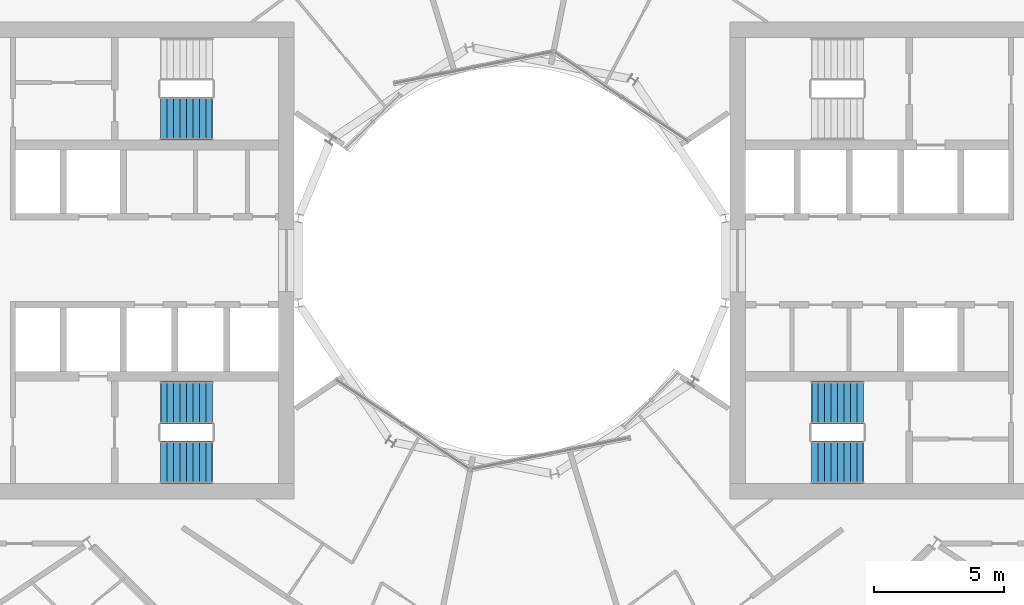
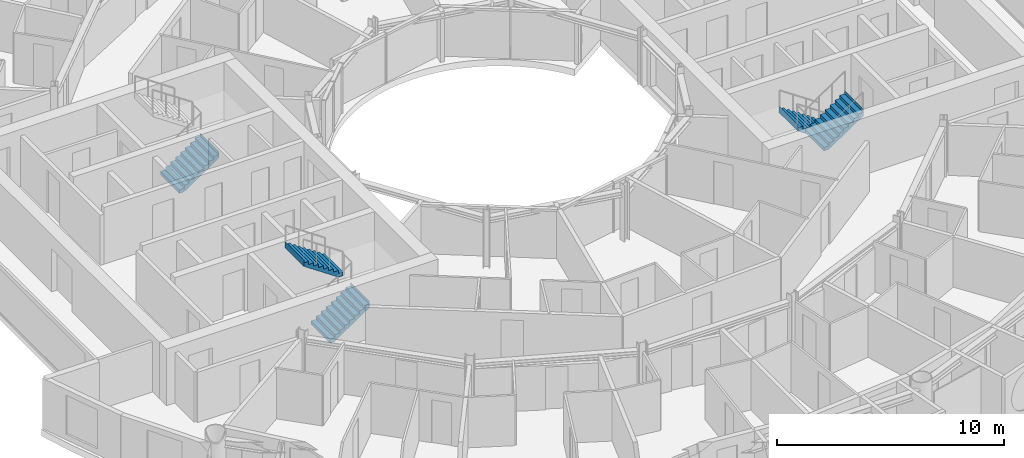
# One storey, part 24 of 26: 5 stair flights, 3 elements without a shape of their own.
"""IFC4 building model written with IfcOpenShell, lengths in metres."""

from ifc_helpers import new_model, si_unit, direction, frame, origin, place, context, subcontext, project, spatial, triangles, material, type_object, element, aggregate, save


model = new_model("IFC4")

# Units and contexts
model_context = context("Model", 3, precision=1e-05, world=origin(), true_north=direction((0.0, 1.0)))
body_context = subcontext(model_context, "Body", "Model", "MODEL_VIEW")
ifc_project = project(units=[si_unit("LENGTHUNIT", "METRE"), si_unit("AREAUNIT", "SQUARE_METRE"), si_unit("VOLUMEUNIT", "CUBIC_METRE"), si_unit("PLANEANGLEUNIT", "RADIAN"), si_unit("MASSUNIT", "GRAM", prefix="KILO")], contexts=[model_context])

# Site, building, storey
site_placement = place(None, origin())
site = spatial("IfcSite", under=ifc_project, at=site_placement, CompositionType="ELEMENT")
building_placement = place(site_placement, origin())
building = spatial("IfcBuilding", under=site, at=building_placement, Name="Maasbend Ring Residences", CompositionType="ELEMENT")
storey_placement = place(building_placement, frame((0.0, 0.0, 123.85009765625)))
storey = spatial("IfcBuildingStorey", under=building, at=storey_placement, Name="L35", CompositionType="ELEMENT", Elevation=123.85009765625)

# Stair, stair flights
ifc_material_1 = material(Name="Concrete C40/50", Category="concrete")
stair_type = type_object("IfcStairType", Name="CORE STAIR 18 RISERS", PredefinedType="HALF_TURN_STAIR", material=ifc_material_1)
stair_1_placement = place(storey_placement, origin())
stair_1 = element("IfcStair", 1, at=stair_1_placement, inside=storey, type_object=stair_type, Name="L35 Exit stair ST-E2", PredefinedType="HALF_TURN_STAIR")
ifc_material_2 = material(Name="Concrete C40/50", Category="concrete")
stair_flight_type = type_object("IfcStairFlightType", Name="CORE STAIR FLIGHT 1650", PredefinedType="STRAIGHT", material=ifc_material_2)
stair_flight_1_placement = place(storey_placement, frame((13.550048828125, -5.47509765625, 0.0), z_axis=(0.0, 0.0, 1.0), x_axis=(-1.0, 0.0, 0.0)))
stair_flight_1 = element("IfcStairFlight", 2, at=stair_flight_1_placement, type_object=stair_flight_type, Name="ST-E2 flight 1", NumberOfRisers=9, NumberOfTreads=8, PredefinedType="STRAIGHT", RiserHeight=0.169444444, TreadLength=0.25, context=body_context, shape_type="Tessellation", body=[
    triangles([(0.24072265625, 0.824951171875, -0.02001953125), (2.0029296875, 0.824951171875, 1.174560546875), (2.0029296875, 0.824951171875, 1.52490234375), (1.989990234375, 0.824951171875, 1.35546875), (1.75, 0.824951171875, 1.35546875), (1.75, 0.824951171875, 1.18603515625), (1.5, 0.824951171875, 1.18603515625), (1.5, 0.824951171875, 1.0166015625), (1.25, 0.824951171875, 1.0166015625), (1.25, 0.824951171875, 0.84716796875), (1.0, 0.824951171875, 0.84716796875), (1.0, 0.824951171875, 0.677734375), (0.75, 0.824951171875, 0.677734375), (0.75, 0.824951171875, 0.50830078125), (0.5, 0.824951171875, 0.50830078125), (0.5, 0.824951171875, 0.3388671875), (0.25, 0.824951171875, 0.3388671875), (0.25, 0.824951171875, 0.16943359375), (0.0, 0.824951171875, 0.16943359375), (0.0, 0.824951171875, 0.0), (-0.0029296875, 0.824951171875, 0.0), (-0.0029296875, 0.824951171875, -0.02001953125), (0.24072265625, 0.27490234375, -0.02001953125), (2.0029296875, 0.27490234375, 1.174560546875), (2.0029296875, 0.27490234375, 1.52490234375), (1.989990234375, 0.27490234375, 1.35546875), (1.75, 0.27490234375, 1.35546875), (1.75, 0.27490234375, 1.18603515625), (1.5, 0.27490234375, 1.18603515625), (1.5, 0.27490234375, 1.0166015625), (1.25, 0.27490234375, 1.0166015625), (1.25, 0.27490234375, 0.84716796875), (1.0, 0.27490234375, 0.84716796875), (1.0, 0.27490234375, 0.677734375), (0.75, 0.27490234375, 0.677734375), (0.75, 0.27490234375, 0.50830078125), (0.5, 0.27490234375, 0.50830078125), (0.5, 0.27490234375, 0.3388671875), (0.25, 0.27490234375, 0.3388671875), (0.25, 0.27490234375, 0.16943359375), (0.0, 0.27490234375, 0.16943359375), (0.0, 0.27490234375, 0.0), (-0.0029296875, 0.27490234375, 0.0), (-0.0029296875, 0.27490234375, -0.02001953125), (0.24072265625, -0.27490234375, -0.02001953125), (2.0029296875, -0.27490234375, 1.174560546875), (2.0029296875, -0.27490234375, 1.52490234375), (1.989990234375, -0.27490234375, 1.35546875), (1.75, -0.27490234375, 1.35546875), (1.75, -0.27490234375, 1.18603515625), (1.5, -0.27490234375, 1.18603515625), (1.5, -0.27490234375, 1.0166015625), (1.25, -0.27490234375, 1.0166015625), (1.25, -0.27490234375, 0.84716796875), (1.0, -0.27490234375, 0.84716796875), (1.0, -0.27490234375, 0.677734375), (0.75, -0.27490234375, 0.677734375), (0.75, -0.27490234375, 0.50830078125), (0.5, -0.27490234375, 0.50830078125), (0.5, -0.27490234375, 0.3388671875), (0.25, -0.27490234375, 0.3388671875), (0.25, -0.27490234375, 0.16943359375), (0.0, -0.27490234375, 0.16943359375), (0.0, -0.27490234375, 0.0), (-0.0029296875, -0.27490234375, 0.0), (-0.0029296875, -0.27490234375, -0.02001953125), (0.24072265625, -0.824951171875, -0.02001953125), (2.0029296875, -0.824951171875, 1.174560546875), (2.0029296875, -0.824951171875, 1.52490234375), (1.989990234375, -0.824951171875, 1.35546875), (1.75, -0.824951171875, 1.35546875), (1.75, -0.824951171875, 1.18603515625), (1.5, -0.824951171875, 1.18603515625), (1.5, -0.824951171875, 1.0166015625), (1.25, -0.824951171875, 1.0166015625), (1.25, -0.824951171875, 0.84716796875), (1.0, -0.824951171875, 0.84716796875), (1.0, -0.824951171875, 0.677734375), (0.75, -0.824951171875, 0.677734375), (0.75, -0.824951171875, 0.50830078125), (0.5, -0.824951171875, 0.50830078125), (0.5, -0.824951171875, 0.3388671875), (0.25, -0.824951171875, 0.3388671875), (0.25, -0.824951171875, 0.16943359375), (0.0, -0.824951171875, 0.16943359375), (0.0, -0.824951171875, 0.0), (-0.0029296875, -0.824951171875, 0.0), (-0.0029296875, -0.824951171875, -0.02001953125)], [[1, 2, 24], [1, 24, 23], [23, 24, 46], [23, 46, 45], [45, 46, 68], [45, 68, 67], [2, 3, 25], [2, 25, 24], [24, 25, 47], [24, 47, 46], [46, 47, 69], [46, 69, 68], [3, 4, 26], [3, 26, 25], [25, 26, 48], [25, 48, 47], [47, 48, 70], [47, 70, 69], [4, 5, 27], [4, 27, 26], [26, 27, 49], [26, 49, 48], [48, 49, 71], [48, 71, 70], [5, 6, 28], [5, 28, 27], [27, 28, 50], [27, 50, 49], [49, 50, 72], [49, 72, 71], [6, 7, 29], [6, 29, 28], [28, 29, 51], [28, 51, 50], [50, 51, 73], [50, 73, 72], [7, 8, 30], [7, 30, 29], [29, 30, 52], [29, 52, 51], [51, 52, 74], [51, 74, 73], [8, 9, 31], [8, 31, 30], [30, 31, 53], [30, 53, 52], [52, 53, 75], [52, 75, 74], [9, 10, 32], [9, 32, 31], [31, 32, 54], [31, 54, 53], [53, 54, 76], [53, 76, 75], [10, 11, 33], [10, 33, 32], [32, 33, 55], [32, 55, 54], [54, 55, 77], [54, 77, 76], [11, 12, 34], [11, 34, 33], [33, 34, 56], [33, 56, 55], [55, 56, 78], [55, 78, 77], [12, 13, 35], [12, 35, 34], [34, 35, 57], [34, 57, 56], [56, 57, 79], [56, 79, 78], [13, 14, 36], [13, 36, 35], [35, 36, 58], [35, 58, 57], [57, 58, 80], [57, 80, 79], [14, 15, 37], [14, 37, 36], [36, 37, 59], [36, 59, 58], [58, 59, 81], [58, 81, 80], [15, 16, 38], [15, 38, 37], [37, 38, 60], [37, 60, 59], [59, 60, 82], [59, 82, 81], [16, 17, 39], [16, 39, 38], [38, 39, 61], [38, 61, 60], [60, 61, 83], [60, 83, 82], [17, 18, 40], [17, 40, 39], [39, 40, 62], [39, 62, 61], [61, 62, 84], [61, 84, 83], [18, 19, 41], [18, 41, 40], [40, 41, 63], [40, 63, 62], [62, 63, 85], [62, 85, 84], [19, 20, 42], [19, 42, 41], [41, 42, 64], [41, 64, 63], [63, 64, 86], [63, 86, 85], [20, 21, 43], [20, 43, 42], [42, 43, 65], [42, 65, 64], [64, 65, 87], [64, 87, 86], [21, 22, 44], [21, 44, 43], [43, 44, 66], [43, 66, 65], [65, 66, 88], [65, 88, 87], [22, 1, 23], [22, 23, 44], [44, 23, 45], [44, 45, 66], [66, 45, 67], [66, 67, 88], [22, 2, 1], [2, 4, 3], [2, 5, 4], [2, 6, 5], [22, 6, 2], [6, 8, 7], [22, 8, 6], [8, 10, 9], [22, 10, 8], [10, 12, 11], [22, 12, 10], [12, 14, 13], [22, 14, 12], [14, 16, 15], [22, 16, 14], [16, 18, 17], [22, 18, 16], [18, 20, 19], [22, 20, 18], [20, 22, 21], [88, 67, 68], [68, 69, 70], [68, 70, 71], [68, 71, 72], [88, 68, 72], [72, 73, 74], [88, 72, 74], [74, 75, 76], [88, 74, 76], [76, 77, 78], [88, 76, 78], [78, 79, 80], [88, 78, 80], [80, 81, 82], [88, 80, 82], [82, 83, 84], [88, 82, 84], [84, 85, 86], [88, 84, 86], [86, 87, 88]], closed=True),
])
stair_flight_2_placement = place(storey_placement, frame((11.550048828125, -7.77490234375, 1.52490234375), z_axis=(0.0, 0.0, 1.0), x_axis=(1.0, 0.0, 0.0)))
stair_flight_2 = element("IfcStairFlight", 3, at=stair_flight_2_placement, type_object=stair_flight_type, Name="ST-E2 flight 2", NumberOfRisers=9, NumberOfTreads=8, PredefinedType="STRAIGHT", RiserHeight=0.169444444, TreadLength=0.25, context=body_context, shape_type="Tessellation", body=[
    triangles([(0.24072265625, 0.824951171875, -0.02001953125), (2.0029296875, 0.824951171875, 1.174560546875), (2.0029296875, 0.824951171875, 1.52490234375), (1.989990234375, 0.824951171875, 1.35546875), (1.75, 0.824951171875, 1.35546875), (1.75, 0.824951171875, 1.18603515625), (1.5, 0.824951171875, 1.18603515625), (1.5, 0.824951171875, 1.0166015625), (1.25, 0.824951171875, 1.0166015625), (1.25, 0.824951171875, 0.84716796875), (1.0, 0.824951171875, 0.84716796875), (1.0, 0.824951171875, 0.677734375), (0.75, 0.824951171875, 0.677734375), (0.75, 0.824951171875, 0.50830078125), (0.5, 0.824951171875, 0.50830078125), (0.5, 0.824951171875, 0.3388671875), (0.25, 0.824951171875, 0.3388671875), (0.25, 0.824951171875, 0.16943359375), (0.0, 0.824951171875, 0.16943359375), (0.0, 0.824951171875, 0.0), (-0.0029296875, 0.824951171875, 0.0), (-0.0029296875, 0.824951171875, -0.02001953125), (0.24072265625, 0.27490234375, -0.02001953125), (2.0029296875, 0.27490234375, 1.174560546875), (2.0029296875, 0.27490234375, 1.52490234375), (1.989990234375, 0.27490234375, 1.35546875), (1.75, 0.27490234375, 1.35546875), (1.75, 0.27490234375, 1.18603515625), (1.5, 0.27490234375, 1.18603515625), (1.5, 0.27490234375, 1.0166015625), (1.25, 0.27490234375, 1.0166015625), (1.25, 0.27490234375, 0.84716796875), (1.0, 0.27490234375, 0.84716796875), (1.0, 0.27490234375, 0.677734375), (0.75, 0.27490234375, 0.677734375), (0.75, 0.27490234375, 0.50830078125), (0.5, 0.27490234375, 0.50830078125), (0.5, 0.27490234375, 0.3388671875), (0.25, 0.27490234375, 0.3388671875), (0.25, 0.27490234375, 0.16943359375), (0.0, 0.27490234375, 0.16943359375), (0.0, 0.27490234375, 0.0), (-0.0029296875, 0.27490234375, 0.0), (-0.0029296875, 0.27490234375, -0.02001953125), (0.24072265625, -0.27490234375, -0.02001953125), (2.0029296875, -0.27490234375, 1.174560546875), (2.0029296875, -0.27490234375, 1.52490234375), (1.989990234375, -0.27490234375, 1.35546875), (1.75, -0.27490234375, 1.35546875), (1.75, -0.27490234375, 1.18603515625), (1.5, -0.27490234375, 1.18603515625), (1.5, -0.27490234375, 1.0166015625), (1.25, -0.27490234375, 1.0166015625), (1.25, -0.27490234375, 0.84716796875), (1.0, -0.27490234375, 0.84716796875), (1.0, -0.27490234375, 0.677734375), (0.75, -0.27490234375, 0.677734375), (0.75, -0.27490234375, 0.50830078125), (0.5, -0.27490234375, 0.50830078125), (0.5, -0.27490234375, 0.3388671875), (0.25, -0.27490234375, 0.3388671875), (0.25, -0.27490234375, 0.16943359375), (0.0, -0.27490234375, 0.16943359375), (0.0, -0.27490234375, 0.0), (-0.0029296875, -0.27490234375, 0.0), (-0.0029296875, -0.27490234375, -0.02001953125), (0.24072265625, -0.824951171875, -0.02001953125), (2.0029296875, -0.824951171875, 1.174560546875), (2.0029296875, -0.824951171875, 1.52490234375), (1.989990234375, -0.824951171875, 1.35546875), (1.75, -0.824951171875, 1.35546875), (1.75, -0.824951171875, 1.18603515625), (1.5, -0.824951171875, 1.18603515625), (1.5, -0.824951171875, 1.0166015625), (1.25, -0.824951171875, 1.0166015625), (1.25, -0.824951171875, 0.84716796875), (1.0, -0.824951171875, 0.84716796875), (1.0, -0.824951171875, 0.677734375), (0.75, -0.824951171875, 0.677734375), (0.75, -0.824951171875, 0.50830078125), (0.5, -0.824951171875, 0.50830078125), (0.5, -0.824951171875, 0.3388671875), (0.25, -0.824951171875, 0.3388671875), (0.25, -0.824951171875, 0.16943359375), (0.0, -0.824951171875, 0.16943359375), (0.0, -0.824951171875, 0.0), (-0.0029296875, -0.824951171875, 0.0), (-0.0029296875, -0.824951171875, -0.02001953125)], [[1, 2, 24], [1, 24, 23], [23, 24, 46], [23, 46, 45], [45, 46, 68], [45, 68, 67], [2, 3, 25], [2, 25, 24], [24, 25, 47], [24, 47, 46], [46, 47, 69], [46, 69, 68], [3, 4, 26], [3, 26, 25], [25, 26, 48], [25, 48, 47], [47, 48, 70], [47, 70, 69], [4, 5, 27], [4, 27, 26], [26, 27, 49], [26, 49, 48], [48, 49, 71], [48, 71, 70], [5, 6, 28], [5, 28, 27], [27, 28, 50], [27, 50, 49], [49, 50, 72], [49, 72, 71], [6, 7, 29], [6, 29, 28], [28, 29, 51], [28, 51, 50], [50, 51, 73], [50, 73, 72], [7, 8, 30], [7, 30, 29], [29, 30, 52], [29, 52, 51], [51, 52, 74], [51, 74, 73], [8, 9, 31], [8, 31, 30], [30, 31, 53], [30, 53, 52], [52, 53, 75], [52, 75, 74], [9, 10, 32], [9, 32, 31], [31, 32, 54], [31, 54, 53], [53, 54, 76], [53, 76, 75], [10, 11, 33], [10, 33, 32], [32, 33, 55], [32, 55, 54], [54, 55, 77], [54, 77, 76], [11, 12, 34], [11, 34, 33], [33, 34, 56], [33, 56, 55], [55, 56, 78], [55, 78, 77], [12, 13, 35], [12, 35, 34], [34, 35, 57], [34, 57, 56], [56, 57, 79], [56, 79, 78], [13, 14, 36], [13, 36, 35], [35, 36, 58], [35, 58, 57], [57, 58, 80], [57, 80, 79], [14, 15, 37], [14, 37, 36], [36, 37, 59], [36, 59, 58], [58, 59, 81], [58, 81, 80], [15, 16, 38], [15, 38, 37], [37, 38, 60], [37, 60, 59], [59, 60, 82], [59, 82, 81], [16, 17, 39], [16, 39, 38], [38, 39, 61], [38, 61, 60], [60, 61, 83], [60, 83, 82], [17, 18, 40], [17, 40, 39], [39, 40, 62], [39, 62, 61], [61, 62, 84], [61, 84, 83], [18, 19, 41], [18, 41, 40], [40, 41, 63], [40, 63, 62], [62, 63, 85], [62, 85, 84], [19, 20, 42], [19, 42, 41], [41, 42, 64], [41, 64, 63], [63, 64, 86], [63, 86, 85], [20, 21, 43], [20, 43, 42], [42, 43, 65], [42, 65, 64], [64, 65, 87], [64, 87, 86], [21, 22, 44], [21, 44, 43], [43, 44, 66], [43, 66, 65], [65, 66, 88], [65, 88, 87], [22, 1, 23], [22, 23, 44], [44, 23, 45], [44, 45, 66], [66, 45, 67], [66, 67, 88], [22, 2, 1], [2, 4, 3], [2, 5, 4], [2, 6, 5], [22, 6, 2], [6, 8, 7], [22, 8, 6], [8, 10, 9], [22, 10, 8], [10, 12, 11], [22, 12, 10], [12, 14, 13], [22, 14, 12], [14, 16, 15], [22, 16, 14], [16, 18, 17], [22, 18, 16], [18, 20, 19], [22, 20, 18], [20, 22, 21], [88, 67, 68], [68, 69, 70], [68, 70, 71], [68, 71, 72], [88, 68, 72], [72, 73, 74], [88, 72, 74], [74, 75, 76], [88, 74, 76], [76, 77, 78], [88, 76, 78], [78, 79, 80], [88, 78, 80], [80, 81, 82], [88, 80, 82], [82, 83, 84], [88, 82, 84], [84, 85, 86], [88, 84, 86], [86, 87, 88]], closed=True),
])
aggregate(stair_1, [stair_flight_1, stair_flight_2])

stair_2_placement = place(storey_placement, origin())
stair_2 = element("IfcStair", 4, at=stair_2_placement, inside=storey, type_object=stair_type, Name="L35 Exit stair ST-W1", PredefinedType="HALF_TURN_STAIR")
stair_flight_3_placement = place(storey_placement, frame((-13.550048828125, -7.77490234375, 0.0), z_axis=(0.0, 0.0, 1.0), x_axis=(1.0, 0.0, 0.0)))
stair_flight_3 = element("IfcStairFlight", 5, at=stair_flight_3_placement, type_object=stair_flight_type, Name="ST-W1 flight 1", NumberOfRisers=9, NumberOfTreads=8, PredefinedType="STRAIGHT", RiserHeight=0.169444444, TreadLength=0.25, context=body_context, shape_type="Tessellation", body=[
    triangles([(0.24072265625, 0.824951171875, -0.02001953125), (2.0029296875, 0.824951171875, 1.174560546875), (2.0029296875, 0.824951171875, 1.52490234375), (1.989990234375, 0.824951171875, 1.35546875), (1.75, 0.824951171875, 1.35546875), (1.75, 0.824951171875, 1.18603515625), (1.5, 0.824951171875, 1.18603515625), (1.5, 0.824951171875, 1.0166015625), (1.25, 0.824951171875, 1.0166015625), (1.25, 0.824951171875, 0.84716796875), (1.0, 0.824951171875, 0.84716796875), (1.0, 0.824951171875, 0.677734375), (0.75, 0.824951171875, 0.677734375), (0.75, 0.824951171875, 0.50830078125), (0.5, 0.824951171875, 0.50830078125), (0.5, 0.824951171875, 0.3388671875), (0.25, 0.824951171875, 0.3388671875), (0.25, 0.824951171875, 0.16943359375), (0.0, 0.824951171875, 0.16943359375), (0.0, 0.824951171875, 0.0), (-0.0029296875, 0.824951171875, 0.0), (-0.0029296875, 0.824951171875, -0.02001953125), (0.24072265625, 0.27490234375, -0.02001953125), (2.0029296875, 0.27490234375, 1.174560546875), (2.0029296875, 0.27490234375, 1.52490234375), (1.989990234375, 0.27490234375, 1.35546875), (1.75, 0.27490234375, 1.35546875), (1.75, 0.27490234375, 1.18603515625), (1.5, 0.27490234375, 1.18603515625), (1.5, 0.27490234375, 1.0166015625), (1.25, 0.27490234375, 1.0166015625), (1.25, 0.27490234375, 0.84716796875), (1.0, 0.27490234375, 0.84716796875), (1.0, 0.27490234375, 0.677734375), (0.75, 0.27490234375, 0.677734375), (0.75, 0.27490234375, 0.50830078125), (0.5, 0.27490234375, 0.50830078125), (0.5, 0.27490234375, 0.3388671875), (0.25, 0.27490234375, 0.3388671875), (0.25, 0.27490234375, 0.16943359375), (0.0, 0.27490234375, 0.16943359375), (0.0, 0.27490234375, 0.0), (-0.0029296875, 0.27490234375, 0.0), (-0.0029296875, 0.27490234375, -0.02001953125), (0.24072265625, -0.27490234375, -0.02001953125), (2.0029296875, -0.27490234375, 1.174560546875), (2.0029296875, -0.27490234375, 1.52490234375), (1.989990234375, -0.27490234375, 1.35546875), (1.75, -0.27490234375, 1.35546875), (1.75, -0.27490234375, 1.18603515625), (1.5, -0.27490234375, 1.18603515625), (1.5, -0.27490234375, 1.0166015625), (1.25, -0.27490234375, 1.0166015625), (1.25, -0.27490234375, 0.84716796875), (1.0, -0.27490234375, 0.84716796875), (1.0, -0.27490234375, 0.677734375), (0.75, -0.27490234375, 0.677734375), (0.75, -0.27490234375, 0.50830078125), (0.5, -0.27490234375, 0.50830078125), (0.5, -0.27490234375, 0.3388671875), (0.25, -0.27490234375, 0.3388671875), (0.25, -0.27490234375, 0.16943359375), (0.0, -0.27490234375, 0.16943359375), (0.0, -0.27490234375, 0.0), (-0.0029296875, -0.27490234375, 0.0), (-0.0029296875, -0.27490234375, -0.02001953125), (0.24072265625, -0.824951171875, -0.02001953125), (2.0029296875, -0.824951171875, 1.174560546875), (2.0029296875, -0.824951171875, 1.52490234375), (1.989990234375, -0.824951171875, 1.35546875), (1.75, -0.824951171875, 1.35546875), (1.75, -0.824951171875, 1.18603515625), (1.5, -0.824951171875, 1.18603515625), (1.5, -0.824951171875, 1.0166015625), (1.25, -0.824951171875, 1.0166015625), (1.25, -0.824951171875, 0.84716796875), (1.0, -0.824951171875, 0.84716796875), (1.0, -0.824951171875, 0.677734375), (0.75, -0.824951171875, 0.677734375), (0.75, -0.824951171875, 0.50830078125), (0.5, -0.824951171875, 0.50830078125), (0.5, -0.824951171875, 0.3388671875), (0.25, -0.824951171875, 0.3388671875), (0.25, -0.824951171875, 0.16943359375), (0.0, -0.824951171875, 0.16943359375), (0.0, -0.824951171875, 0.0), (-0.0029296875, -0.824951171875, 0.0), (-0.0029296875, -0.824951171875, -0.02001953125)], [[1, 2, 24], [1, 24, 23], [23, 24, 46], [23, 46, 45], [45, 46, 68], [45, 68, 67], [2, 3, 25], [2, 25, 24], [24, 25, 47], [24, 47, 46], [46, 47, 69], [46, 69, 68], [3, 4, 26], [3, 26, 25], [25, 26, 48], [25, 48, 47], [47, 48, 70], [47, 70, 69], [4, 5, 27], [4, 27, 26], [26, 27, 49], [26, 49, 48], [48, 49, 71], [48, 71, 70], [5, 6, 28], [5, 28, 27], [27, 28, 50], [27, 50, 49], [49, 50, 72], [49, 72, 71], [6, 7, 29], [6, 29, 28], [28, 29, 51], [28, 51, 50], [50, 51, 73], [50, 73, 72], [7, 8, 30], [7, 30, 29], [29, 30, 52], [29, 52, 51], [51, 52, 74], [51, 74, 73], [8, 9, 31], [8, 31, 30], [30, 31, 53], [30, 53, 52], [52, 53, 75], [52, 75, 74], [9, 10, 32], [9, 32, 31], [31, 32, 54], [31, 54, 53], [53, 54, 76], [53, 76, 75], [10, 11, 33], [10, 33, 32], [32, 33, 55], [32, 55, 54], [54, 55, 77], [54, 77, 76], [11, 12, 34], [11, 34, 33], [33, 34, 56], [33, 56, 55], [55, 56, 78], [55, 78, 77], [12, 13, 35], [12, 35, 34], [34, 35, 57], [34, 57, 56], [56, 57, 79], [56, 79, 78], [13, 14, 36], [13, 36, 35], [35, 36, 58], [35, 58, 57], [57, 58, 80], [57, 80, 79], [14, 15, 37], [14, 37, 36], [36, 37, 59], [36, 59, 58], [58, 59, 81], [58, 81, 80], [15, 16, 38], [15, 38, 37], [37, 38, 60], [37, 60, 59], [59, 60, 82], [59, 82, 81], [16, 17, 39], [16, 39, 38], [38, 39, 61], [38, 61, 60], [60, 61, 83], [60, 83, 82], [17, 18, 40], [17, 40, 39], [39, 40, 62], [39, 62, 61], [61, 62, 84], [61, 84, 83], [18, 19, 41], [18, 41, 40], [40, 41, 63], [40, 63, 62], [62, 63, 85], [62, 85, 84], [19, 20, 42], [19, 42, 41], [41, 42, 64], [41, 64, 63], [63, 64, 86], [63, 86, 85], [20, 21, 43], [20, 43, 42], [42, 43, 65], [42, 65, 64], [64, 65, 87], [64, 87, 86], [21, 22, 44], [21, 44, 43], [43, 44, 66], [43, 66, 65], [65, 66, 88], [65, 88, 87], [22, 1, 23], [22, 23, 44], [44, 23, 45], [44, 45, 66], [66, 45, 67], [66, 67, 88], [22, 2, 1], [2, 4, 3], [2, 5, 4], [2, 6, 5], [22, 6, 2], [6, 8, 7], [22, 8, 6], [8, 10, 9], [22, 10, 8], [10, 12, 11], [22, 12, 10], [12, 14, 13], [22, 14, 12], [14, 16, 15], [22, 16, 14], [16, 18, 17], [22, 18, 16], [18, 20, 19], [22, 20, 18], [20, 22, 21], [88, 67, 68], [68, 69, 70], [68, 70, 71], [68, 71, 72], [88, 68, 72], [72, 73, 74], [88, 72, 74], [74, 75, 76], [88, 74, 76], [76, 77, 78], [88, 76, 78], [78, 79, 80], [88, 78, 80], [80, 81, 82], [88, 80, 82], [82, 83, 84], [88, 82, 84], [84, 85, 86], [88, 84, 86], [86, 87, 88]], closed=True),
])
stair_flight_4_placement = place(storey_placement, frame((-11.550048828125, -5.47509765625, 1.52490234375), z_axis=(0.0, 0.0, 1.0), x_axis=(-1.0, 0.0, 0.0)))
stair_flight_4 = element("IfcStairFlight", 6, at=stair_flight_4_placement, type_object=stair_flight_type, Name="ST-W1 flight 2", NumberOfRisers=9, NumberOfTreads=8, PredefinedType="STRAIGHT", RiserHeight=0.169444444, TreadLength=0.25, context=body_context, shape_type="Tessellation", body=[
    triangles([(0.24072265625, 0.824951171875, -0.02001953125), (2.0029296875, 0.824951171875, 1.174560546875), (2.0029296875, 0.824951171875, 1.52490234375), (1.989990234375, 0.824951171875, 1.35546875), (1.75, 0.824951171875, 1.35546875), (1.75, 0.824951171875, 1.18603515625), (1.5, 0.824951171875, 1.18603515625), (1.5, 0.824951171875, 1.0166015625), (1.25, 0.824951171875, 1.0166015625), (1.25, 0.824951171875, 0.84716796875), (1.0, 0.824951171875, 0.84716796875), (1.0, 0.824951171875, 0.677734375), (0.75, 0.824951171875, 0.677734375), (0.75, 0.824951171875, 0.50830078125), (0.5, 0.824951171875, 0.50830078125), (0.5, 0.824951171875, 0.3388671875), (0.25, 0.824951171875, 0.3388671875), (0.25, 0.824951171875, 0.16943359375), (0.0, 0.824951171875, 0.16943359375), (0.0, 0.824951171875, 0.0), (-0.0029296875, 0.824951171875, 0.0), (-0.0029296875, 0.824951171875, -0.02001953125), (0.24072265625, 0.27490234375, -0.02001953125), (2.0029296875, 0.27490234375, 1.174560546875), (2.0029296875, 0.27490234375, 1.52490234375), (1.989990234375, 0.27490234375, 1.35546875), (1.75, 0.27490234375, 1.35546875), (1.75, 0.27490234375, 1.18603515625), (1.5, 0.27490234375, 1.18603515625), (1.5, 0.27490234375, 1.0166015625), (1.25, 0.27490234375, 1.0166015625), (1.25, 0.27490234375, 0.84716796875), (1.0, 0.27490234375, 0.84716796875), (1.0, 0.27490234375, 0.677734375), (0.75, 0.27490234375, 0.677734375), (0.75, 0.27490234375, 0.50830078125), (0.5, 0.27490234375, 0.50830078125), (0.5, 0.27490234375, 0.3388671875), (0.25, 0.27490234375, 0.3388671875), (0.25, 0.27490234375, 0.16943359375), (0.0, 0.27490234375, 0.16943359375), (0.0, 0.27490234375, 0.0), (-0.0029296875, 0.27490234375, 0.0), (-0.0029296875, 0.27490234375, -0.02001953125), (0.24072265625, -0.27490234375, -0.02001953125), (2.0029296875, -0.27490234375, 1.174560546875), (2.0029296875, -0.27490234375, 1.52490234375), (1.989990234375, -0.27490234375, 1.35546875), (1.75, -0.27490234375, 1.35546875), (1.75, -0.27490234375, 1.18603515625), (1.5, -0.27490234375, 1.18603515625), (1.5, -0.27490234375, 1.0166015625), (1.25, -0.27490234375, 1.0166015625), (1.25, -0.27490234375, 0.84716796875), (1.0, -0.27490234375, 0.84716796875), (1.0, -0.27490234375, 0.677734375), (0.75, -0.27490234375, 0.677734375), (0.75, -0.27490234375, 0.50830078125), (0.5, -0.27490234375, 0.50830078125), (0.5, -0.27490234375, 0.3388671875), (0.25, -0.27490234375, 0.3388671875), (0.25, -0.27490234375, 0.16943359375), (0.0, -0.27490234375, 0.16943359375), (0.0, -0.27490234375, 0.0), (-0.0029296875, -0.27490234375, 0.0), (-0.0029296875, -0.27490234375, -0.02001953125), (0.24072265625, -0.824951171875, -0.02001953125), (2.0029296875, -0.824951171875, 1.174560546875), (2.0029296875, -0.824951171875, 1.52490234375), (1.989990234375, -0.824951171875, 1.35546875), (1.75, -0.824951171875, 1.35546875), (1.75, -0.824951171875, 1.18603515625), (1.5, -0.824951171875, 1.18603515625), (1.5, -0.824951171875, 1.0166015625), (1.25, -0.824951171875, 1.0166015625), (1.25, -0.824951171875, 0.84716796875), (1.0, -0.824951171875, 0.84716796875), (1.0, -0.824951171875, 0.677734375), (0.75, -0.824951171875, 0.677734375), (0.75, -0.824951171875, 0.50830078125), (0.5, -0.824951171875, 0.50830078125), (0.5, -0.824951171875, 0.3388671875), (0.25, -0.824951171875, 0.3388671875), (0.25, -0.824951171875, 0.16943359375), (0.0, -0.824951171875, 0.16943359375), (0.0, -0.824951171875, 0.0), (-0.0029296875, -0.824951171875, 0.0), (-0.0029296875, -0.824951171875, -0.02001953125)], [[1, 2, 24], [1, 24, 23], [23, 24, 46], [23, 46, 45], [45, 46, 68], [45, 68, 67], [2, 3, 25], [2, 25, 24], [24, 25, 47], [24, 47, 46], [46, 47, 69], [46, 69, 68], [3, 4, 26], [3, 26, 25], [25, 26, 48], [25, 48, 47], [47, 48, 70], [47, 70, 69], [4, 5, 27], [4, 27, 26], [26, 27, 49], [26, 49, 48], [48, 49, 71], [48, 71, 70], [5, 6, 28], [5, 28, 27], [27, 28, 50], [27, 50, 49], [49, 50, 72], [49, 72, 71], [6, 7, 29], [6, 29, 28], [28, 29, 51], [28, 51, 50], [50, 51, 73], [50, 73, 72], [7, 8, 30], [7, 30, 29], [29, 30, 52], [29, 52, 51], [51, 52, 74], [51, 74, 73], [8, 9, 31], [8, 31, 30], [30, 31, 53], [30, 53, 52], [52, 53, 75], [52, 75, 74], [9, 10, 32], [9, 32, 31], [31, 32, 54], [31, 54, 53], [53, 54, 76], [53, 76, 75], [10, 11, 33], [10, 33, 32], [32, 33, 55], [32, 55, 54], [54, 55, 77], [54, 77, 76], [11, 12, 34], [11, 34, 33], [33, 34, 56], [33, 56, 55], [55, 56, 78], [55, 78, 77], [12, 13, 35], [12, 35, 34], [34, 35, 57], [34, 57, 56], [56, 57, 79], [56, 79, 78], [13, 14, 36], [13, 36, 35], [35, 36, 58], [35, 58, 57], [57, 58, 80], [57, 80, 79], [14, 15, 37], [14, 37, 36], [36, 37, 59], [36, 59, 58], [58, 59, 81], [58, 81, 80], [15, 16, 38], [15, 38, 37], [37, 38, 60], [37, 60, 59], [59, 60, 82], [59, 82, 81], [16, 17, 39], [16, 39, 38], [38, 39, 61], [38, 61, 60], [60, 61, 83], [60, 83, 82], [17, 18, 40], [17, 40, 39], [39, 40, 62], [39, 62, 61], [61, 62, 84], [61, 84, 83], [18, 19, 41], [18, 41, 40], [40, 41, 63], [40, 63, 62], [62, 63, 85], [62, 85, 84], [19, 20, 42], [19, 42, 41], [41, 42, 64], [41, 64, 63], [63, 64, 86], [63, 86, 85], [20, 21, 43], [20, 43, 42], [42, 43, 65], [42, 65, 64], [64, 65, 87], [64, 87, 86], [21, 22, 44], [21, 44, 43], [43, 44, 66], [43, 66, 65], [65, 66, 88], [65, 88, 87], [22, 1, 23], [22, 23, 44], [44, 23, 45], [44, 45, 66], [66, 45, 67], [66, 67, 88], [22, 2, 1], [2, 4, 3], [2, 5, 4], [2, 6, 5], [22, 6, 2], [6, 8, 7], [22, 8, 6], [8, 10, 9], [22, 10, 8], [10, 12, 11], [22, 12, 10], [12, 14, 13], [22, 14, 12], [14, 16, 15], [22, 16, 14], [16, 18, 17], [22, 18, 16], [18, 20, 19], [22, 20, 18], [20, 22, 21], [88, 67, 68], [68, 69, 70], [68, 70, 71], [68, 71, 72], [88, 68, 72], [72, 73, 74], [88, 72, 74], [74, 75, 76], [88, 74, 76], [76, 77, 78], [88, 76, 78], [78, 79, 80], [88, 78, 80], [80, 81, 82], [88, 80, 82], [82, 83, 84], [88, 82, 84], [84, 85, 86], [88, 84, 86], [86, 87, 88]], closed=True),
])
aggregate(stair_2, [stair_flight_3, stair_flight_4])

# Stair, stair flight
stair_3_placement = place(storey_placement, origin())
stair_3 = element("IfcStair", 7, at=stair_3_placement, inside=storey, type_object=stair_type, Name="L35 Exit stair ST-W2", PredefinedType="HALF_TURN_STAIR")
stair_flight_5_placement = place(storey_placement, frame((-13.550048828125, 5.47509765625, 0.0), z_axis=(0.0, 0.0, 1.0), x_axis=(1.0, 0.0, 0.0)))
stair_flight_5 = element("IfcStairFlight", 8, at=stair_flight_5_placement, type_object=stair_flight_type, Name="ST-W2 flight 1", NumberOfRisers=9, NumberOfTreads=8, PredefinedType="STRAIGHT", RiserHeight=0.169444444, TreadLength=0.25, context=body_context, shape_type="Tessellation", body=[
    triangles([(0.24072265625, 0.824951171875, -0.02001953125), (2.0029296875, 0.824951171875, 1.174560546875), (2.0029296875, 0.824951171875, 1.52490234375), (1.989990234375, 0.824951171875, 1.35546875), (1.75, 0.824951171875, 1.35546875), (1.75, 0.824951171875, 1.18603515625), (1.5, 0.824951171875, 1.18603515625), (1.5, 0.824951171875, 1.0166015625), (1.25, 0.824951171875, 1.0166015625), (1.25, 0.824951171875, 0.84716796875), (1.0, 0.824951171875, 0.84716796875), (1.0, 0.824951171875, 0.677734375), (0.75, 0.824951171875, 0.677734375), (0.75, 0.824951171875, 0.50830078125), (0.5, 0.824951171875, 0.50830078125), (0.5, 0.824951171875, 0.3388671875), (0.25, 0.824951171875, 0.3388671875), (0.25, 0.824951171875, 0.16943359375), (0.0, 0.824951171875, 0.16943359375), (0.0, 0.824951171875, 0.0), (-0.0029296875, 0.824951171875, 0.0), (-0.0029296875, 0.824951171875, -0.02001953125), (0.24072265625, 0.27490234375, -0.02001953125), (2.0029296875, 0.27490234375, 1.174560546875), (2.0029296875, 0.27490234375, 1.52490234375), (1.989990234375, 0.27490234375, 1.35546875), (1.75, 0.27490234375, 1.35546875), (1.75, 0.27490234375, 1.18603515625), (1.5, 0.27490234375, 1.18603515625), (1.5, 0.27490234375, 1.0166015625), (1.25, 0.27490234375, 1.0166015625), (1.25, 0.27490234375, 0.84716796875), (1.0, 0.27490234375, 0.84716796875), (1.0, 0.27490234375, 0.677734375), (0.75, 0.27490234375, 0.677734375), (0.75, 0.27490234375, 0.50830078125), (0.5, 0.27490234375, 0.50830078125), (0.5, 0.27490234375, 0.3388671875), (0.25, 0.27490234375, 0.3388671875), (0.25, 0.27490234375, 0.16943359375), (0.0, 0.27490234375, 0.16943359375), (0.0, 0.27490234375, 0.0), (-0.0029296875, 0.27490234375, 0.0), (-0.0029296875, 0.27490234375, -0.02001953125), (0.24072265625, -0.27490234375, -0.02001953125), (2.0029296875, -0.27490234375, 1.174560546875), (2.0029296875, -0.27490234375, 1.52490234375), (1.989990234375, -0.27490234375, 1.35546875), (1.75, -0.27490234375, 1.35546875), (1.75, -0.27490234375, 1.18603515625), (1.5, -0.27490234375, 1.18603515625), (1.5, -0.27490234375, 1.0166015625), (1.25, -0.27490234375, 1.0166015625), (1.25, -0.27490234375, 0.84716796875), (1.0, -0.27490234375, 0.84716796875), (1.0, -0.27490234375, 0.677734375), (0.75, -0.27490234375, 0.677734375), (0.75, -0.27490234375, 0.50830078125), (0.5, -0.27490234375, 0.50830078125), (0.5, -0.27490234375, 0.3388671875), (0.25, -0.27490234375, 0.3388671875), (0.25, -0.27490234375, 0.16943359375), (0.0, -0.27490234375, 0.16943359375), (0.0, -0.27490234375, 0.0), (-0.0029296875, -0.27490234375, 0.0), (-0.0029296875, -0.27490234375, -0.02001953125), (0.24072265625, -0.824951171875, -0.02001953125), (2.0029296875, -0.824951171875, 1.174560546875), (2.0029296875, -0.824951171875, 1.52490234375), (1.989990234375, -0.824951171875, 1.35546875), (1.75, -0.824951171875, 1.35546875), (1.75, -0.824951171875, 1.18603515625), (1.5, -0.824951171875, 1.18603515625), (1.5, -0.824951171875, 1.0166015625), (1.25, -0.824951171875, 1.0166015625), (1.25, -0.824951171875, 0.84716796875), (1.0, -0.824951171875, 0.84716796875), (1.0, -0.824951171875, 0.677734375), (0.75, -0.824951171875, 0.677734375), (0.75, -0.824951171875, 0.50830078125), (0.5, -0.824951171875, 0.50830078125), (0.5, -0.824951171875, 0.3388671875), (0.25, -0.824951171875, 0.3388671875), (0.25, -0.824951171875, 0.16943359375), (0.0, -0.824951171875, 0.16943359375), (0.0, -0.824951171875, 0.0), (-0.0029296875, -0.824951171875, 0.0), (-0.0029296875, -0.824951171875, -0.02001953125)], [[1, 2, 24], [1, 24, 23], [23, 24, 46], [23, 46, 45], [45, 46, 68], [45, 68, 67], [2, 3, 25], [2, 25, 24], [24, 25, 47], [24, 47, 46], [46, 47, 69], [46, 69, 68], [3, 4, 26], [3, 26, 25], [25, 26, 48], [25, 48, 47], [47, 48, 70], [47, 70, 69], [4, 5, 27], [4, 27, 26], [26, 27, 49], [26, 49, 48], [48, 49, 71], [48, 71, 70], [5, 6, 28], [5, 28, 27], [27, 28, 50], [27, 50, 49], [49, 50, 72], [49, 72, 71], [6, 7, 29], [6, 29, 28], [28, 29, 51], [28, 51, 50], [50, 51, 73], [50, 73, 72], [7, 8, 30], [7, 30, 29], [29, 30, 52], [29, 52, 51], [51, 52, 74], [51, 74, 73], [8, 9, 31], [8, 31, 30], [30, 31, 53], [30, 53, 52], [52, 53, 75], [52, 75, 74], [9, 10, 32], [9, 32, 31], [31, 32, 54], [31, 54, 53], [53, 54, 76], [53, 76, 75], [10, 11, 33], [10, 33, 32], [32, 33, 55], [32, 55, 54], [54, 55, 77], [54, 77, 76], [11, 12, 34], [11, 34, 33], [33, 34, 56], [33, 56, 55], [55, 56, 78], [55, 78, 77], [12, 13, 35], [12, 35, 34], [34, 35, 57], [34, 57, 56], [56, 57, 79], [56, 79, 78], [13, 14, 36], [13, 36, 35], [35, 36, 58], [35, 58, 57], [57, 58, 80], [57, 80, 79], [14, 15, 37], [14, 37, 36], [36, 37, 59], [36, 59, 58], [58, 59, 81], [58, 81, 80], [15, 16, 38], [15, 38, 37], [37, 38, 60], [37, 60, 59], [59, 60, 82], [59, 82, 81], [16, 17, 39], [16, 39, 38], [38, 39, 61], [38, 61, 60], [60, 61, 83], [60, 83, 82], [17, 18, 40], [17, 40, 39], [39, 40, 62], [39, 62, 61], [61, 62, 84], [61, 84, 83], [18, 19, 41], [18, 41, 40], [40, 41, 63], [40, 63, 62], [62, 63, 85], [62, 85, 84], [19, 20, 42], [19, 42, 41], [41, 42, 64], [41, 64, 63], [63, 64, 86], [63, 86, 85], [20, 21, 43], [20, 43, 42], [42, 43, 65], [42, 65, 64], [64, 65, 87], [64, 87, 86], [21, 22, 44], [21, 44, 43], [43, 44, 66], [43, 66, 65], [65, 66, 88], [65, 88, 87], [22, 1, 23], [22, 23, 44], [44, 23, 45], [44, 45, 66], [66, 45, 67], [66, 67, 88], [22, 2, 1], [2, 4, 3], [2, 5, 4], [2, 6, 5], [22, 6, 2], [6, 8, 7], [22, 8, 6], [8, 10, 9], [22, 10, 8], [10, 12, 11], [22, 12, 10], [12, 14, 13], [22, 14, 12], [14, 16, 15], [22, 16, 14], [16, 18, 17], [22, 18, 16], [18, 20, 19], [22, 20, 18], [20, 22, 21], [88, 67, 68], [68, 69, 70], [68, 70, 71], [68, 71, 72], [88, 68, 72], [72, 73, 74], [88, 72, 74], [74, 75, 76], [88, 74, 76], [76, 77, 78], [88, 76, 78], [78, 79, 80], [88, 78, 80], [80, 81, 82], [88, 80, 82], [82, 83, 84], [88, 82, 84], [84, 85, 86], [88, 84, 86], [86, 87, 88]], closed=True),
])
aggregate(stair_3, [stair_flight_5])

save(model, "model.ifc")
